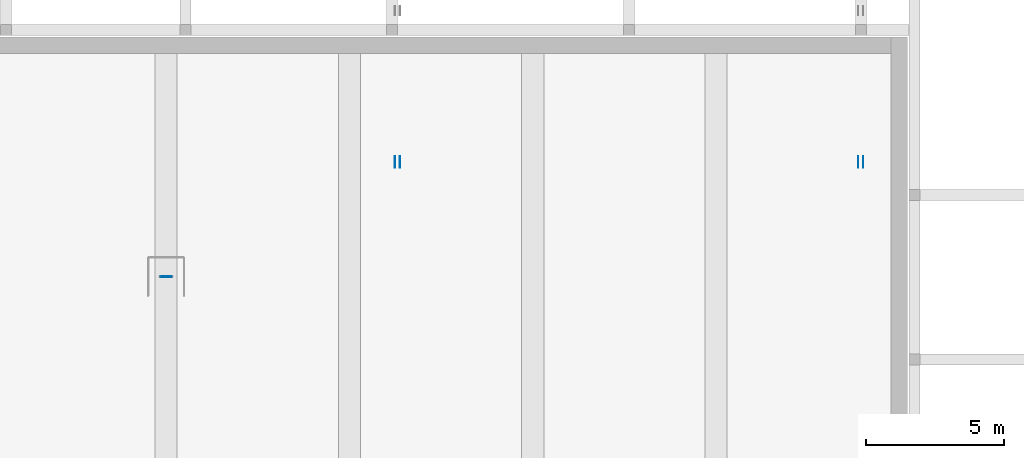
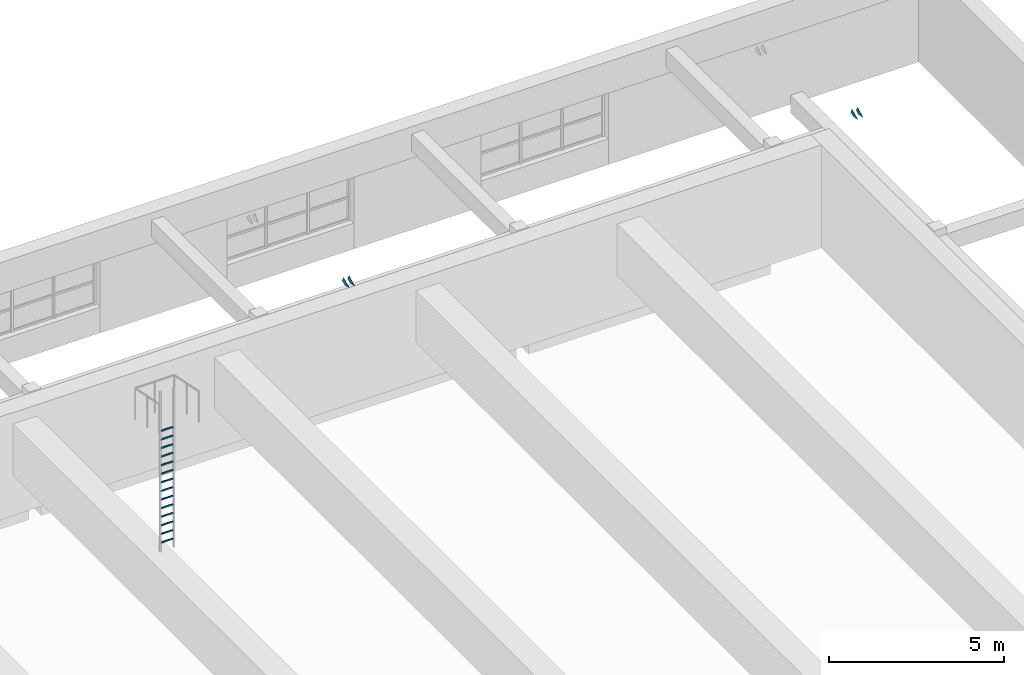
# One storey, part 20 of 28: 18 discrete accessories.
"""IFC4 building model written with IfcOpenShell, lengths in metres."""

from ifc_helpers import new_model, si_unit, direction, frame, origin, origin_2d, place, context, subcontext, project, spatial, polyline, rectangle, outline, extrude, material, layer, layer_set, type_object, element, save


model = new_model("IFC4")

# Units and contexts
model_context = context("Model", 3, precision=1e-05, world=origin(), true_north=direction((0.0, 1.0)))
body_context = subcontext(model_context, "Body", "Model", "MODEL_VIEW")
ifc_project = project(units=[si_unit("LENGTHUNIT", "METRE"), si_unit("AREAUNIT", "SQUARE_METRE"), si_unit("VOLUMEUNIT", "CUBIC_METRE"), si_unit("PLANEANGLEUNIT", "RADIAN"), si_unit("MASSUNIT", "GRAM", prefix="KILO")], contexts=[model_context])

# Site, building, storey
site_placement = place(None, origin())
site = spatial("IfcSite", under=ifc_project, at=site_placement, CompositionType="ELEMENT")
building_placement = place(site_placement, origin())
building = spatial("IfcBuilding", under=site, at=building_placement, Name="Ljudholm Concert House", CompositionType="ELEMENT")
storey_placement = place(building_placement, frame((0.0, 0.0, 19.199951171875)))
storey = spatial("IfcBuildingStorey", under=building, at=storey_placement, Name="L04", CompositionType="ELEMENT", Elevation=19.199951171875)

# Discrete accessories
ifc_material_1 = material(Name="Steel ASTM A36 plate", Category="steel")
ifc_layer = layer(ifc_material_1, 0.011962890625)
ifc_layer_set = layer_set([ifc_layer], Name="Steel ASTM A36 plate")
discrete_accessory_type_1 = type_object("IfcDiscreteAccessoryType", Name="GUSSET PLATE 12", PredefinedType="BRACKET", material=ifc_layer_set)
for number, where, z_axis, x_axis, name in (
    (1, (71.2900390625, 96.359375, -19.199951171875), (0.0, 0.0, 1.0), (0.0, -1.0, 0.0), "Gusset plate"),
    (2, (71.10986328125, 96.359375, -19.199951171875), (0.0, 0.0, 1.0), (0.0, -1.0, 0.0), "Gusset plate"),
    (3, (88.090087890625, 96.359375, -19.199951171875), (0.0, 0.0, 1.0), (0.0, -1.0, 0.0), "Gusset plate"),
    (4, (87.909912109375, 96.359375, -19.199951171875), (0.0, 0.0, 1.0), (0.0, -1.0, 0.0), "Gusset plate"),
):
    element("IfcDiscreteAccessory", number, at=place(storey_placement, frame(where, z_axis=z_axis, x_axis=x_axis)), inside=storey, type_object=discrete_accessory_type_1, Name=name, PredefinedType="BRACKET", context=body_context, shape_type="SweptSolid", body=[
        extrude(outline(polyline([(10.67529296875, 26.78369140625), (11.003662109375, 26.620849609375), (10.735107421875, 26.566162109375), (10.6005859375, 26.6328125), (10.67529296875, 26.78369140625)])), frame((0.0, 0.005859375, 0.0), z_axis=(0.0, -1.0, 0.0), x_axis=(1.0, 0.0, 0.0)), (0.0, 0.0, 1.0), 0.011962890625),
    ])
ifc_material_2 = material(Name="Steel ASTM A36", Category="steel")
discrete_accessory_type_2 = type_object("IfcDiscreteAccessoryType", Name="LADDER RUNG 32", PredefinedType="USERDEFINED", material=ifc_material_2)
for number, where, z_axis, x_axis, name in (
    (5, (62.800048828125, 81.39990234375, 3.88427734375), (0.0, 0.0, 1.0), (1.0, 0.0, 0.0), "Ladder rung"),
    (6, (62.800048828125, 81.39990234375, 4.18408203125), (0.0, 0.0, 1.0), (1.0, 0.0, 0.0), "Ladder rung"),
    (7, (62.800048828125, 81.39990234375, 4.48388671875), (0.0, 0.0, 1.0), (1.0, 0.0, 0.0), "Ladder rung"),
    (8, (62.800048828125, 81.39990234375, 4.7841796875), (0.0, 0.0, 1.0), (1.0, 0.0, 0.0), "Ladder rung"),
    (9, (62.800048828125, 81.39990234375, 5.083984375), (0.0, 0.0, 1.0), (1.0, 0.0, 0.0), "Ladder rung"),
    (10, (62.800048828125, 81.39990234375, 5.38427734375), (0.0, 0.0, 1.0), (1.0, 0.0, 0.0), "Ladder rung"),
    (11, (62.800048828125, 81.39990234375, 5.68408203125), (0.0, 0.0, 1.0), (1.0, 0.0, 0.0), "Ladder rung"),
    (12, (62.800048828125, 81.39990234375, 5.98388671875), (0.0, 0.0, 1.0), (1.0, 0.0, 0.0), "Ladder rung"),
    (13, (62.800048828125, 81.39990234375, 6.2841796875), (0.0, 0.0, 1.0), (1.0, 0.0, 0.0), "Ladder rung"),
    (14, (62.800048828125, 81.39990234375, 6.583984375), (0.0, 0.0, 1.0), (1.0, 0.0, 0.0), "Ladder rung"),
    (15, (62.800048828125, 81.39990234375, 6.88427734375), (0.0, 0.0, 1.0), (1.0, 0.0, 0.0), "Ladder rung"),
    (16, (62.800048828125, 81.39990234375, 7.18408203125), (0.0, 0.0, 1.0), (1.0, 0.0, 0.0), "Ladder rung"),
    (17, (62.800048828125, 81.39990234375, 7.48388671875), (0.0, 0.0, 1.0), (1.0, 0.0, 0.0), "Ladder rung"),
    (18, (62.800048828125, 81.39990234375, 7.7841796875), (0.0, 0.0, 1.0), (1.0, 0.0, 0.0), "Ladder rung"),
):
    element("IfcDiscreteAccessory", number, at=place(storey_placement, frame(where, z_axis=z_axis, x_axis=x_axis)), inside=storey, type_object=discrete_accessory_type_2, Name=name, ObjectType="FIXED LADDER", PredefinedType="USERDEFINED", context=body_context, shape_type="SweptSolid", body=[
        extrude(rectangle(XDim=0.39990234375, YDim=0.031982421875, at=origin_2d()), origin(), (0.0, 0.0, 1.0), 0.031982421875),
    ])

save(model, "model.ifc")
